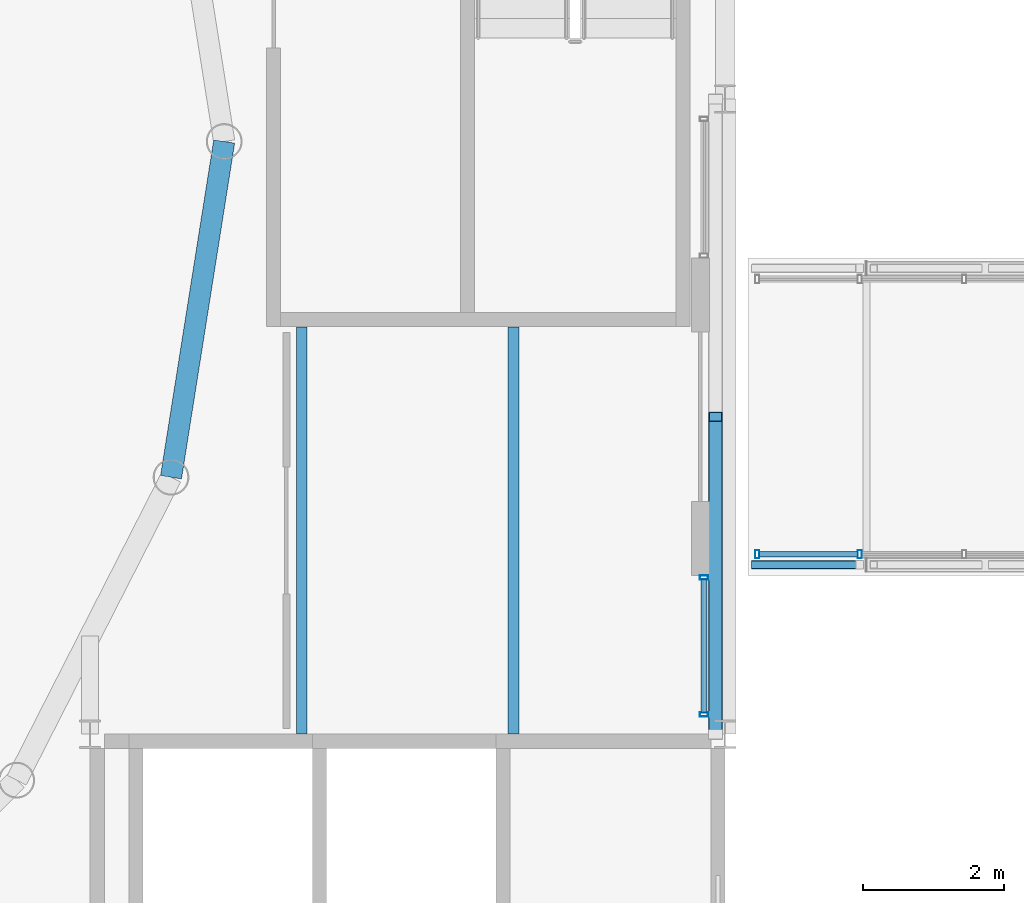
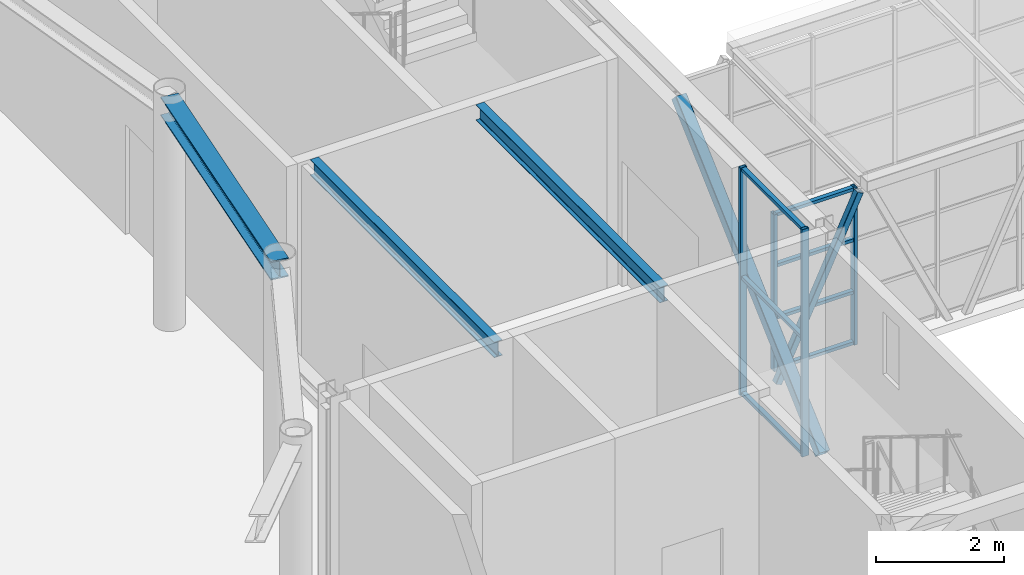
# One storey, part 52 of 149: 13 members, 3 beams, 2 elements without a shape of their own.
"""IFC4 building model written with IfcOpenShell, lengths in metres."""

from ifc_helpers import new_model, si_unit, direction, frame, origin, origin_2d, place, context, subcontext, project, spatial, hollow_rectangle, i_section, extrude, material, layer, layer_set, material_profile, profile_set, type_object, element, aggregate, save


model = new_model("IFC4")

# Units and contexts
model_context = context("Model", 3, precision=1e-05, world=origin(), true_north=direction((0.0, 1.0)))
body_context = subcontext(model_context, "Body", "Model", "MODEL_VIEW")
ifc_project = project(units=[si_unit("LENGTHUNIT", "METRE"), si_unit("AREAUNIT", "SQUARE_METRE"), si_unit("VOLUMEUNIT", "CUBIC_METRE"), si_unit("PLANEANGLEUNIT", "RADIAN"), si_unit("MASSUNIT", "GRAM", prefix="KILO")], contexts=[model_context])

# Site, building, storey
site_placement = place(None, origin())
site = spatial("IfcSite", under=ifc_project, at=site_placement, CompositionType="ELEMENT")
building_placement = place(site_placement, origin())
building = spatial("IfcBuilding", under=site, at=building_placement, Name="Kallimachos Central Library", CompositionType="ELEMENT")
storey_placement = place(building_placement, frame((0.0, 0.0, 9.89990234375)))
storey = spatial("IfcBuildingStorey", under=building, at=storey_placement, Name="L02", CompositionType="ELEMENT", Elevation=9.89990234375)

# Curtain wall, members
ifc_material_1 = material(Name="Aluminium and laminated glass", Category="aluminium")
curtain_wall_type_1 = type_object("IfcCurtainWallType", Name="Link glazed wall", PredefinedType="NOTDEFINED", material=ifc_material_1)
curtain_wall_1_placement = place(storey_placement, origin())
curtain_wall_1 = element("IfcCurtainWall", 1, at=curtain_wall_1_placement, inside=storey, type_object=curtain_wall_type_1, Name="V1 to V3 bridge glazed side", PredefinedType="NOTDEFINED")
ifc_material_2 = material(Name="Anodised aluminium", Category="aluminium")
ifc_material_profile_1 = material_profile(ifc_material_2, hollow_rectangle(XDim=0.06005859375, YDim=0.1201171875, WallThickness=0.00390625, at=origin_2d()), Name="ALU MULLION 60x120")
ifc_profile_set_1 = profile_set([ifc_material_profile_1], Name="Anodised aluminium")
member_type_1 = type_object("IfcMemberType", Name="ALU MULLION 60x120 mullion", PredefinedType="MULLION", material=ifc_profile_set_1)
member_1_placement = place(storey_placement, frame((110.955078125, 98.550048828125, 0.0), z_axis=(0.0, 0.0, 1.0), x_axis=(1.0, 0.0, 0.0)))
member_1 = element("IfcMember", 2, at=member_1_placement, type_object=member_type_1, Name="CW74 mullion 1", PredefinedType="MULLION", context=body_context, shape_type="SweptSolid", body=[
    extrude(hollow_rectangle(XDim=0.06005859375, YDim=0.1201171875, WallThickness=0.00390625, at=origin_2d()), origin(), (0.0, 0.0, 1.0), 3.0),
])
member_2_placement = place(storey_placement, frame((112.406982421875, 98.550048828125, 0.0), z_axis=(0.0, 0.0, 1.0), x_axis=(1.0, 0.0, 0.0)))
member_2 = element("IfcMember", 3, at=member_2_placement, type_object=member_type_1, Name="CW74 mullion 2", PredefinedType="MULLION", context=body_context, shape_type="SweptSolid", body=[
    extrude(hollow_rectangle(XDim=0.06005859375, YDim=0.1201171875, WallThickness=0.00390625, at=origin_2d()), origin(), (0.0, 0.0, 1.0), 3.0),
])
ifc_material_3 = material(Name="Anodised aluminium", Category="aluminium")
ifc_material_profile_2 = material_profile(ifc_material_3, hollow_rectangle(XDim=0.06005859375, YDim=0.080078125, WallThickness=0.00390625, at=origin_2d()), Name="ALU TRANSOM 60x80")
ifc_profile_set_2 = profile_set([ifc_material_profile_2], Name="Anodised aluminium")
member_type_2 = type_object("IfcMemberType", Name="ALU TRANSOM 60x80 transom", PredefinedType="USERDEFINED", material=ifc_profile_set_2)
member_3_placement = place(storey_placement, frame((110.985107421875, 98.550048828125, 0.030029296875), z_axis=(1.0, 0.0, 0.0), x_axis=(0.0, 0.0, 1.0)))
member_3 = element("IfcMember", 4, at=member_3_placement, type_object=member_type_2, Name="CW74 transom 1.1", ObjectType="TRANSOM", PredefinedType="USERDEFINED", context=body_context, shape_type="SweptSolid", body=[
    extrude(hollow_rectangle(XDim=0.06005859375, YDim=0.080078125, WallThickness=0.00390625, at=origin_2d()), origin(), (0.0, 0.0, 1.0), 1.391845703125),
])
member_4_placement = place(storey_placement, frame((110.985107421875, 98.550048828125, 1.0), z_axis=(1.0, 0.0, 0.0), x_axis=(0.0, 0.0, 1.0)))
member_4 = element("IfcMember", 5, at=member_4_placement, type_object=member_type_2, Name="CW74 transom 1.2", ObjectType="TRANSOM", PredefinedType="USERDEFINED", context=body_context, shape_type="SweptSolid", body=[
    extrude(hollow_rectangle(XDim=0.06005859375, YDim=0.080078125, WallThickness=0.00390625, at=origin_2d()), origin(), (0.0, 0.0, 1.0), 1.391845703125),
])
member_5_placement = place(storey_placement, frame((110.985107421875, 98.550048828125, 2.0), z_axis=(1.0, 0.0, 0.0), x_axis=(0.0, 0.0, 1.0)))
member_5 = element("IfcMember", 6, at=member_5_placement, type_object=member_type_2, Name="CW74 transom 1.3", ObjectType="TRANSOM", PredefinedType="USERDEFINED", context=body_context, shape_type="SweptSolid", body=[
    extrude(hollow_rectangle(XDim=0.06005859375, YDim=0.080078125, WallThickness=0.00390625, at=origin_2d()), origin(), (0.0, 0.0, 1.0), 1.391845703125),
])
member_6_placement = place(storey_placement, frame((110.985107421875, 98.550048828125, 2.97021484375), z_axis=(1.0, 0.0, 0.0), x_axis=(0.0, 0.0, 1.0)))
member_6 = element("IfcMember", 7, at=member_6_placement, type_object=member_type_2, Name="CW74 transom 1.4", ObjectType="TRANSOM", PredefinedType="USERDEFINED", context=body_context, shape_type="SweptSolid", body=[
    extrude(hollow_rectangle(XDim=0.06005859375, YDim=0.080078125, WallThickness=0.00390625, at=origin_2d()), origin(), (0.0, 0.0, 1.0), 1.391845703125),
])
aggregate(curtain_wall_1, [member_1, member_2, member_3, member_4, member_5, member_6])

ifc_material_4 = material(Name="Anodised aluminium and laminated glass", Category="aluminium")
ifc_layer = layer(ifc_material_4, 0.159912109375)
ifc_layer_set = layer_set([ifc_layer], Name="Glass box curtain wall")
curtain_wall_type_2 = type_object("IfcCurtainWallType", Name="Glass box curtain wall", PredefinedType="NOTDEFINED", material=ifc_layer_set)
curtain_wall_2_placement = place(storey_placement, origin())
curtain_wall_2 = element("IfcCurtainWall", 8, at=curtain_wall_2_placement, inside=storey, type_object=curtain_wall_type_2, Name="Glass box curtain wall E L02", PredefinedType="NOTDEFINED")
ifc_material_5 = material(Name="Anodised aluminium", Category="aluminium")
ifc_material_profile_3 = material_profile(ifc_material_5, hollow_rectangle(XDim=0.06005859375, YDim=0.1201171875, WallThickness=0.00390625, at=origin_2d()), Name="ALU MULLION 60x120")
ifc_profile_set_3 = profile_set([ifc_material_profile_3], Name="Anodised aluminium")
member_type_3 = type_object("IfcMemberType", Name="Glass box mullion 60x120", PredefinedType="MULLION", material=ifc_profile_set_3)
member_7_placement = place(storey_placement, frame((110.199951171875, 96.280029296875, 0.0), z_axis=(0.0, 0.0, 1.0), x_axis=(0.0, 1.0, 0.0)))
member_7 = element("IfcMember", 9, at=member_7_placement, type_object=member_type_3, Name="CW17 mullion 1", PredefinedType="MULLION", context=body_context, shape_type="SweptSolid", body=[
    extrude(hollow_rectangle(XDim=0.06005859375, YDim=0.1201171875, WallThickness=0.00390625, at=origin_2d()), origin(), (0.0, 0.0, 1.0), 4.35009765625),
])
member_8_placement = place(storey_placement, frame((110.199951171875, 98.219970703125, 0.0), z_axis=(0.0, 0.0, 1.0), x_axis=(0.0, 1.0, 0.0)))
member_8 = element("IfcMember", 10, at=member_8_placement, type_object=member_type_3, Name="CW17 mullion 2", PredefinedType="MULLION", context=body_context, shape_type="SweptSolid", body=[
    extrude(hollow_rectangle(XDim=0.06005859375, YDim=0.1201171875, WallThickness=0.00390625, at=origin_2d()), origin(), (0.0, 0.0, 1.0), 4.35009765625),
])
ifc_material_6 = material(Name="Anodised aluminium", Category="aluminium")
ifc_material_profile_4 = material_profile(ifc_material_6, hollow_rectangle(XDim=0.06005859375, YDim=0.080078125, WallThickness=0.00390625, at=origin_2d()), Name="ALU TRANSOM 60x80")
ifc_profile_set_4 = profile_set([ifc_material_profile_4], Name="Anodised aluminium")
member_type_4 = type_object("IfcMemberType", Name="Glass box transom 60x80", PredefinedType="USERDEFINED", material=ifc_profile_set_4)
member_9_placement = place(storey_placement, frame((110.199951171875, 96.31005859375, 0.030029296875), z_axis=(0.0, 1.0, 0.0), x_axis=(0.0, 0.0, 1.0)))
member_9 = element("IfcMember", 11, at=member_9_placement, type_object=member_type_4, Name="CW17 transom 1.1", ObjectType="TRANSOM", PredefinedType="USERDEFINED", context=body_context, shape_type="SweptSolid", body=[
    extrude(hollow_rectangle(XDim=0.06005859375, YDim=0.080078125, WallThickness=0.00390625, at=origin_2d()), origin(), (0.0, 0.0, 1.0), 1.8798828125),
])
member_10_placement = place(storey_placement, frame((110.199951171875, 96.31005859375, 2.25), z_axis=(0.0, 1.0, 0.0), x_axis=(0.0, 0.0, 1.0)))
member_10 = element("IfcMember", 12, at=member_10_placement, type_object=member_type_4, Name="CW17 transom 1.2", ObjectType="TRANSOM", PredefinedType="USERDEFINED", context=body_context, shape_type="SweptSolid", body=[
    extrude(hollow_rectangle(XDim=0.06005859375, YDim=0.080078125, WallThickness=0.00390625, at=origin_2d()), origin(), (0.0, 0.0, 1.0), 1.8798828125),
])
member_11_placement = place(storey_placement, frame((110.199951171875, 96.31005859375, 4.320068359375), z_axis=(0.0, 1.0, 0.0), x_axis=(0.0, 0.0, 1.0)))
member_11 = element("IfcMember", 13, at=member_11_placement, type_object=member_type_4, Name="CW17 transom 1.3", ObjectType="TRANSOM", PredefinedType="USERDEFINED", context=body_context, shape_type="SweptSolid", body=[
    extrude(hollow_rectangle(XDim=0.06005859375, YDim=0.080078125, WallThickness=0.00390625, at=origin_2d()), origin(), (0.0, 0.0, 1.0), 1.8798828125),
])
aggregate(curtain_wall_2, [member_7, member_8, member_9, member_10, member_11])

# Beams
ifc_material_7 = material(Name="Steel S355J2", Category="steel")
ifc_material_profile_5 = material_profile(ifc_material_7, i_section(OverallWidth=0.300048828125, OverallDepth=0.360107421875, WebThickness=0.012451171875, FlangeThickness=0.0224609375, FilletRadius=0.027099609375, at=origin_2d()), Name="HEB 360")
ifc_profile_set_5 = profile_set([ifc_material_profile_5], Name="Steel S355J2")
beam_type_1 = type_object("IfcBeamType", Name="HEB 360 beam", PredefinedType="BEAM", material=ifc_profile_set_5)
beam_placement = place(storey_placement, frame((102.646240234375, 99.64111328125, 4.170166015625), z_axis=(0.156423119957, 0.987690137413, 0.0), x_axis=(-0.987690137413, 0.156423119957, 0.0)))
element("IfcBeam", 14, at=beam_placement, inside=storey, type_object=beam_type_1, Name="V1-BEM-L02-020", PredefinedType="BEAM", context=body_context, shape_type="SweptSolid", body=[
    extrude(i_section(OverallWidth=0.300048828125, OverallDepth=0.360107421875, WebThickness=0.012451171875, FlangeThickness=0.0224609375, FilletRadius=0.027099609375, at=origin_2d()), origin(), (0.0, 0.0, 1.0), 4.818115234375),
])
ifc_material_8 = material(Name="Steel S355J2", Category="steel")
ifc_material_profile_6 = material_profile(ifc_material_8, i_section(OverallWidth=0.14990234375, OverallDepth=0.300048828125, WebThickness=0.007080078125, FlangeThickness=0.0107421875, FilletRadius=0.014892578125, at=origin_2d()), Name="IPE 300")
ifc_profile_set_6 = profile_set([ifc_material_profile_6], Name="Steel S355J2")
beam_type_2 = type_object("IfcBeamType", Name="IPE 300 beam", PredefinedType="BEAM", material=ifc_profile_set_6)
for number, where, z_axis, x_axis, name in (
    (15, (104.5, 96.0048828125, 4.2001953125), (0.0, 1.0, 0.0), (-1.0, 0.0, 0.0), "V1-BEM-L02-065"),
    (16, (107.5, 96.0048828125, 4.2001953125), (0.0, 1.0, 0.0), (-1.0, 0.0, 0.0), "V1-BEM-L02-067"),
):
    element("IfcBeam", number, at=place(storey_placement, frame(where, z_axis=z_axis, x_axis=x_axis)), inside=storey, type_object=beam_type_2, Name=name, PredefinedType="BEAM", context=body_context, shape_type="SweptSolid", body=[
        extrude(i_section(OverallWidth=0.14990234375, OverallDepth=0.300048828125, WebThickness=0.007080078125, FlangeThickness=0.0107421875, FilletRadius=0.014892578125, at=origin_2d()), origin(), (0.0, 0.0, 1.0), 5.76513671875),
    ])

# Members
ifc_material_9 = material(Name="Steel S355J2H", Category="steel")
ifc_material_profile_7 = material_profile(ifc_material_9, hollow_rectangle(XDim=0.1201171875, YDim=0.1201171875, WallThickness=0.008056640625, InnerFilletRadius=0.008056640625, OuterFilletRadius=0.011962890625, at=origin_2d()), Name="SHS 120x120x8")
ifc_profile_set_7 = profile_set([ifc_material_profile_7], Name="Steel S355J2H")
member_type_5 = type_object("IfcMemberType", Name="SHS 120x120x8 web", PredefinedType="BRACE", material=ifc_profile_set_7)
member_12_placement = place(storey_placement, frame((110.925048828125, 98.39990234375, -0.14990234375), z_axis=(0.425192201844, 0.0, 0.905103083351), x_axis=(0.0, 1.0, 0.0)))
element("IfcMember", 17, at=member_12_placement, inside=storey, type_object=member_type_5, Name="links-MEM-L02-036", PredefinedType="BRACE", context=body_context, shape_type="SweptSolid", body=[
    extrude(hollow_rectangle(XDim=0.1201171875, YDim=0.1201171875, WallThickness=0.008056640625, InnerFilletRadius=0.008056640625, OuterFilletRadius=0.011962890625, at=origin_2d()), origin(), (0.0, 0.0, 1.0), 3.480224609375),
])
ifc_material_10 = material(Name="Steel S355J2H", Category="steel")
ifc_material_profile_8 = material_profile(ifc_material_10, hollow_rectangle(XDim=0.199951171875, YDim=0.199951171875, WallThickness=0.010009765625, InnerFilletRadius=0.010009765625, OuterFilletRadius=0.014892578125, at=origin_2d()), Name="SHS 200x200x10")
ifc_profile_set_8 = profile_set([ifc_material_profile_8], Name="Steel S355J2H")
member_type_6 = type_object("IfcMemberType", Name="SHS 200x200x10 brace", PredefinedType="BRACE", material=ifc_profile_set_8)
member_13_placement = place(storey_placement, frame((110.364990234375, 96.0, 0.150146484375), z_axis=(0.0, 0.7392083166, 0.673476847909), x_axis=(-1.0, 0.0, 0.0)))
element("IfcMember", 18, at=member_13_placement, inside=storey, type_object=member_type_6, Name="Chevron brace 110.5 L02", PredefinedType="BRACE", context=body_context, shape_type="SweptSolid", body=[
    extrude(hollow_rectangle(XDim=0.199951171875, YDim=0.199951171875, WallThickness=0.010009765625, InnerFilletRadius=0.010009765625, OuterFilletRadius=0.014892578125, at=origin_2d()), origin(), (0.0, 0.0, 1.0), 6.087646484375),
])

save(model, "model.ifc")
